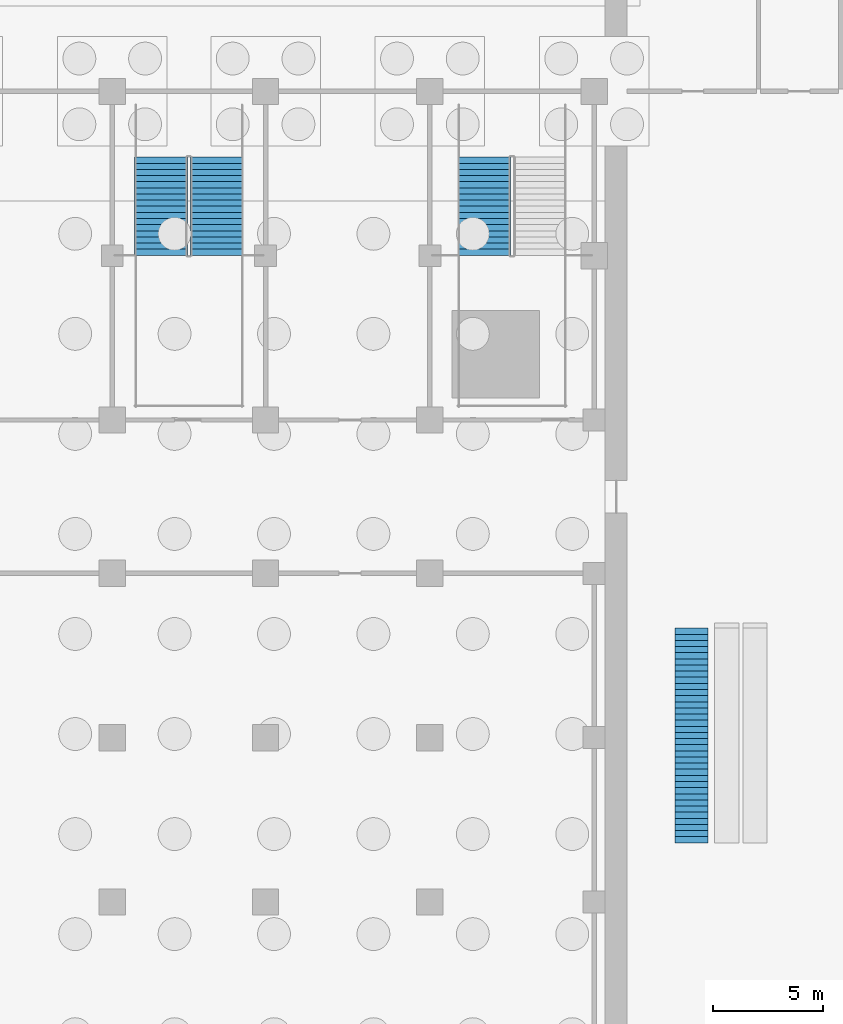
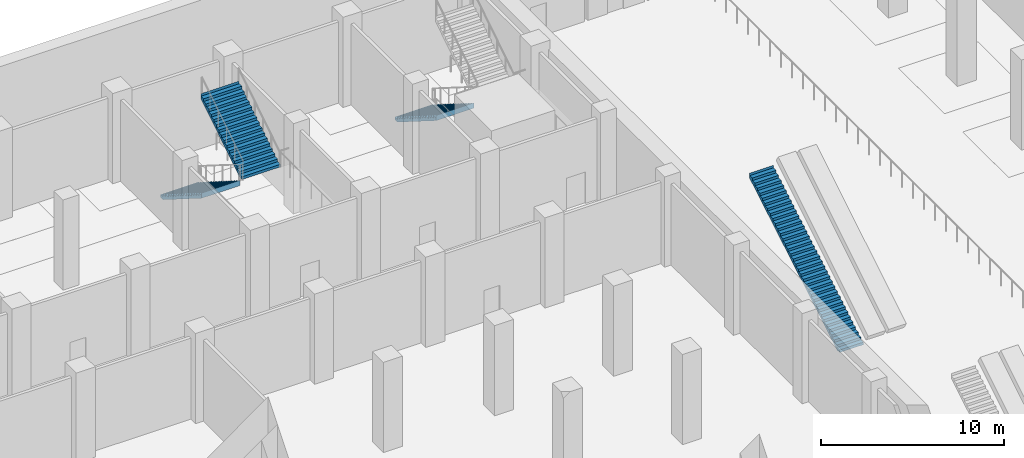
# One storey, part 25 of 39: 4 stair flights, 3 elements without a shape of their own.
"""IFC4 building model written with IfcOpenShell, lengths in metres."""

from ifc_helpers import new_model, si_unit, direction, frame, origin, place, context, subcontext, project, spatial, polyline, outline, extrude, material, type_object, element, aggregate, save


model = new_model("IFC4")

# Units and contexts
model_context = context("Model", 3, precision=1e-05, world=origin(), true_north=direction((0.0, 1.0)))
body_context = subcontext(model_context, "Body", "Model", "MODEL_VIEW")
ifc_project = project(units=[si_unit("LENGTHUNIT", "METRE"), si_unit("AREAUNIT", "SQUARE_METRE"), si_unit("VOLUMEUNIT", "CUBIC_METRE"), si_unit("PLANEANGLEUNIT", "RADIAN"), si_unit("MASSUNIT", "GRAM", prefix="KILO")], contexts=[model_context])

# Site, building, storey
site_placement = place(None, origin())
site = spatial("IfcSite", under=ifc_project, at=site_placement, CompositionType="ELEMENT")
building_placement = place(site_placement, origin())
building = spatial("IfcBuilding", under=site, at=building_placement, Name="Tamorin Gate", CompositionType="ELEMENT")
storey_placement = place(building_placement, frame((0.0, 0.0, -12.0)))
storey = spatial("IfcBuildingStorey", under=building, at=storey_placement, Name="B2", CompositionType="ELEMENT", Elevation=-12.0)

# Stair, stair flights
ifc_material_1 = material(Name="Reinforced concrete C32/40", Category="concrete")
stair_type_1 = type_object("IfcStairType", Name="Basement stair SB", PredefinedType="HALF_TURN_STAIR", material=ifc_material_1)
stair_1_placement = place(storey_placement, origin())
stair_1 = element("IfcStair", 1, at=stair_1_placement, inside=storey, type_object=stair_type_1, Name="B2 Basement stair SB4", PredefinedType="HALF_TURN_STAIR")
stair_flight_type_1 = type_object("IfcStairFlightType", Name="Stair flight 2400", PredefinedType="STRAIGHT", material=ifc_material_1)
stair_flight_1_placement = place(storey_placement, frame((69.72509765625, 109.0, 0.0), z_axis=(0.0, 0.0, 1.0), x_axis=(0.0, -1.0, 0.0)))
stair_flight_1 = element("IfcStairFlight", 2, at=stair_flight_1_placement, type_object=stair_flight_type_1, Name="SB4 flight 1", NumberOfRisers=17, NumberOfTreads=16, PredefinedType="STRAIGHT", RiserHeight=0.176470588, TreadLength=0.28, context=body_context, shape_type="SweptSolid", body=[
    extrude(outline(polyline([(-0.00048828125, 0.0), (-0.00048828125, 0.001708984375), (-0.00048828125, 0.00341796875), (-0.00048828125, 0.005126953125), (-0.00048828125, 0.007080078125), (-0.00048828125, 0.0087890625), (-0.00048828125, 0.010498046875), (-0.00048828125, 0.01220703125), (-0.00048828125, 0.013916015625), (-0.00048828125, 0.015625), (-0.00048828125, 0.017578125), (-0.00048828125, 0.019287109375), (-0.00048828125, 0.02099609375), (-0.00048828125, 0.022705078125), (-0.00048828125, 0.0244140625), (-0.00048828125, 0.026123046875), (-0.00048828125, 0.028076171875), (-0.00048828125, 0.02978515625), (-0.00048828125, 0.031494140625), (-0.00048828125, 0.033203125), (-0.00048828125, 0.034912109375), (-0.00048828125, 0.03662109375), (-0.00048828125, 0.038330078125), (-0.00048828125, 0.040283203125), (-0.00048828125, 0.0419921875), (-0.00048828125, 0.043701171875), (-0.00048828125, 0.04541015625), (-0.00048828125, 0.047119140625), (-0.00048828125, 0.048828125), (-0.00048828125, 0.05078125), (-0.00048828125, 0.052490234375), (-0.00048828125, 0.05419921875), (-0.00048828125, 0.055908203125), (-0.00048828125, 0.0576171875), (-0.00048828125, 0.059326171875), (-0.00048828125, 0.06103515625), (-0.00048828125, 0.06298828125), (-0.00048828125, 0.064697265625), (-0.00048828125, 0.06640625), (-0.00048828125, 0.068115234375), (-0.00048828125, 0.06982421875), (-0.00048828125, 0.071533203125), (-0.00048828125, 0.073486328125), (-0.00048828125, 0.0751953125), (-0.00048828125, 0.076904296875), (-0.00048828125, 0.07861328125), (-0.00048828125, 0.080322265625), (-0.00048828125, 0.08203125), (-0.00048828125, 0.083984375), (-0.00048828125, 0.085693359375), (-0.00048828125, 0.08740234375), (-0.00048828125, 0.089111328125), (-0.00048828125, 0.0908203125), (-0.00048828125, 0.092529296875), (-0.00048828125, 0.09423828125), (-0.00048828125, 0.09619140625), (-0.00048828125, 0.097900390625), (-0.00048828125, 0.099609375), (-0.00048828125, 0.101318359375), (-0.00048828125, 0.10302734375), (-0.00048828125, 0.104736328125), (-0.00048828125, 0.106689453125), (-0.00048828125, 0.1083984375), (-0.00048828125, 0.110107421875), (-0.00048828125, 0.11181640625), (-0.00048828125, 0.113525390625), (-0.00048828125, 0.115234375), (-0.00048828125, 0.116943359375), (-0.00048828125, 0.118896484375), (-0.00048828125, 0.12060546875), (-0.00048828125, 0.122314453125), (-0.00048828125, 0.1240234375), (-0.00048828125, 0.125732421875), (-0.00048828125, 0.12744140625), (-0.00048828125, 0.12939453125), (-0.00048828125, 0.131103515625), (-0.00048828125, 0.1328125), (-0.00048828125, 0.134521484375), (-0.00048828125, 0.13623046875), (-0.00048828125, 0.137939453125), (-0.00048828125, 0.139892578125), (-0.00048828125, 0.1416015625), (-0.00048828125, 0.143310546875), (-0.00048828125, 0.14501953125), (-0.00048828125, 0.146728515625), (-0.00048828125, 0.1484375), (-0.00048828125, 0.150146484375), (-0.00048828125, 0.152099609375), (-0.00048828125, 0.15380859375), (-0.00048828125, 0.155517578125), (-0.00048828125, 0.1572265625), (-0.00048828125, 0.158935546875), (-0.00048828125, 0.16064453125), (-0.00048828125, 0.16259765625), (-0.00048828125, 0.164306640625), (-0.00048828125, 0.166015625), (-0.00048828125, 0.167724609375), (-0.00048828125, 0.16943359375), (-0.00048828125, 0.171142578125), (-0.00048828125, 0.173095703125), (-0.00048828125, 0.1748046875), (-0.00048828125, 0.176513671875), (0.280029296875, 0.176513671875), (0.280029296875, 0.35302734375), (0.56005859375, 0.35302734375), (0.56005859375, 0.529296875), (0.840087890625, 0.529296875), (0.840087890625, 0.705810546875), (1.1201171875, 0.705810546875), (1.1201171875, 0.88232421875), (1.39990234375, 0.88232421875), (1.39990234375, 1.058837890625), (1.679931640625, 1.058837890625), (1.679931640625, 1.2353515625), (1.9599609375, 1.2353515625), (1.9599609375, 1.411865234375), (2.239990234375, 1.411865234375), (2.239990234375, 1.588134765625), (2.52001953125, 1.588134765625), (2.52001953125, 1.7646484375), (2.800048828125, 1.7646484375), (2.800048828125, 1.941162109375), (3.080078125, 1.941162109375), (3.080078125, 2.11767578125), (3.360107421875, 2.11767578125), (3.360107421875, 2.294189453125), (3.639892578125, 2.294189453125), (3.639892578125, 2.470703125), (3.919921875, 2.470703125), (3.919921875, 2.64697265625), (4.199951171875, 2.64697265625), (4.199951171875, 2.823486328125), (4.47998046875, 2.823486328125), (4.47998046875, 3.0), (4.48046875, 3.0), (4.48046875, 2.99658203125), (4.48046875, 2.992919921875), (4.48046875, 2.989501953125), (4.48046875, 2.986083984375), (4.48046875, 2.982421875), (4.48046875, 2.97900390625), (4.48046875, 2.9755859375), (4.48046875, 2.971923828125), (4.48046875, 2.968505859375), (4.48046875, 2.965087890625), (4.48046875, 2.96142578125), (4.48046875, 2.9580078125), (4.48046875, 2.95458984375), (4.48046875, 2.950927734375), (4.48046875, 2.947509765625), (4.48046875, 2.944091796875), (4.48046875, 2.9404296875), (4.48046875, 2.93701171875), (4.48046875, 2.933349609375), (4.48046875, 2.929931640625), (4.48046875, 2.926513671875), (4.48046875, 2.9228515625), (4.48046875, 2.91943359375), (4.48046875, 2.916015625), (4.48046875, 2.912353515625), (4.48046875, 2.908935546875), (4.48046875, 2.905517578125), (4.48046875, 2.90185546875), (4.48046875, 2.8984375), (4.48046875, 2.89501953125), (4.48046875, 2.891357421875), (4.48046875, 2.887939453125), (4.48046875, 2.884521484375), (4.48046875, 2.880859375), (4.48046875, 2.87744140625), (4.48046875, 2.8740234375), (4.48046875, 2.870361328125), (4.48046875, 2.866943359375), (4.48046875, 2.863525390625), (4.48046875, 2.85986328125), (4.48046875, 2.8564453125), (4.48046875, 2.85302734375), (4.48046875, 2.849365234375), (4.48046875, 2.845947265625), (4.48046875, 2.842529296875), (4.48046875, 2.8388671875), (4.48046875, 2.83544921875), (4.48046875, 2.83203125), (4.48046875, 2.828369140625), (4.48046875, 2.824951171875), (4.48046875, 2.821533203125), (4.48046875, 2.81787109375), (4.48046875, 2.814453125), (4.48046875, 2.81103515625), (4.48046875, 2.807373046875), (4.48046875, 2.803955078125), (4.48046875, 2.80029296875), (4.48046875, 2.796875), (4.48046875, 2.79345703125), (4.48046875, 2.789794921875), (4.48046875, 2.786376953125), (4.48046875, 2.782958984375), (4.48046875, 2.779296875), (4.48046875, 2.77587890625), (4.48046875, 2.7724609375), (4.48046875, 2.768798828125), (4.48046875, 2.765380859375), (4.48046875, 2.761962890625), (4.48046875, 2.75830078125), (4.48046875, 2.7548828125), (4.48046875, 2.75146484375), (4.48046875, 2.747802734375), (4.48046875, 2.744384765625), (4.48046875, 2.740966796875), (4.48046875, 2.7373046875), (4.48046875, 2.73388671875), (4.48046875, 2.73046875), (4.48046875, 2.726806640625), (4.48046875, 2.723388671875), (4.48046875, 2.719970703125), (4.48046875, 2.71630859375), (4.48046875, 2.712890625), (4.48046875, 2.70947265625), (4.48046875, 2.705810546875), (4.48046875, 2.702392578125), (4.48046875, 2.698974609375), (4.48046875, 2.6953125), (4.48046875, 2.69189453125), (4.48046875, 2.6884765625), (4.48046875, 2.684814453125), (4.48046875, 2.681396484375), (4.48046875, 2.677734375), (4.48046875, 2.67431640625), (4.48046875, 2.6708984375), (4.48046875, 2.667236328125), (4.48046875, 2.663818359375), (4.48046875, 2.660400390625), (4.48046875, 2.65673828125), (4.48046875, 2.6533203125), (4.48046875, 2.64990234375), (4.48046875, 2.646240234375), (4.47998046875, 2.646240234375), (0.28125, 0.0), (-0.00048828125, 0.0)])), frame((0.0, 1.199951171875, 0.0), z_axis=(0.0, -1.0, 0.0), x_axis=(1.0, 0.0, 0.0)), (0.0, 0.0, 1.0), 2.39990234375),
])
stair_flight_2_placement = place(storey_placement, frame((72.27490234375, 104.52001953125, 3.0), z_axis=(0.0, 0.0, 1.0), x_axis=(0.0, 1.0, 0.0)))
stair_flight_2 = element("IfcStairFlight", 3, at=stair_flight_2_placement, type_object=stair_flight_type_1, Name="SB4 flight 2", NumberOfRisers=17, NumberOfTreads=16, PredefinedType="STRAIGHT", RiserHeight=0.176470588, TreadLength=0.28, context=body_context, shape_type="SweptSolid", body=[
    extrude(outline(polyline([(-0.00048828125, 0.0), (-0.00048828125, 0.001708984375), (-0.00048828125, 0.00341796875), (-0.00048828125, 0.005126953125), (-0.00048828125, 0.007080078125), (-0.00048828125, 0.0087890625), (-0.00048828125, 0.010498046875), (-0.00048828125, 0.01220703125), (-0.00048828125, 0.013916015625), (-0.00048828125, 0.015625), (-0.00048828125, 0.017578125), (-0.00048828125, 0.019287109375), (-0.00048828125, 0.02099609375), (-0.00048828125, 0.022705078125), (-0.00048828125, 0.0244140625), (-0.00048828125, 0.026123046875), (-0.00048828125, 0.028076171875), (-0.00048828125, 0.02978515625), (-0.00048828125, 0.031494140625), (-0.00048828125, 0.033203125), (-0.00048828125, 0.034912109375), (-0.00048828125, 0.03662109375), (-0.00048828125, 0.038330078125), (-0.00048828125, 0.040283203125), (-0.00048828125, 0.0419921875), (-0.00048828125, 0.043701171875), (-0.00048828125, 0.04541015625), (-0.00048828125, 0.047119140625), (-0.00048828125, 0.048828125), (-0.00048828125, 0.05078125), (-0.00048828125, 0.052490234375), (-0.00048828125, 0.05419921875), (-0.00048828125, 0.055908203125), (-0.00048828125, 0.0576171875), (-0.00048828125, 0.059326171875), (-0.00048828125, 0.06103515625), (-0.00048828125, 0.06298828125), (-0.00048828125, 0.064697265625), (-0.00048828125, 0.06640625), (-0.00048828125, 0.068115234375), (-0.00048828125, 0.06982421875), (-0.00048828125, 0.071533203125), (-0.00048828125, 0.073486328125), (-0.00048828125, 0.0751953125), (-0.00048828125, 0.076904296875), (-0.00048828125, 0.07861328125), (-0.00048828125, 0.080322265625), (-0.00048828125, 0.08203125), (-0.00048828125, 0.083984375), (-0.00048828125, 0.085693359375), (-0.00048828125, 0.08740234375), (-0.00048828125, 0.089111328125), (-0.00048828125, 0.0908203125), (-0.00048828125, 0.092529296875), (-0.00048828125, 0.09423828125), (-0.00048828125, 0.09619140625), (-0.00048828125, 0.097900390625), (-0.00048828125, 0.099609375), (-0.00048828125, 0.101318359375), (-0.00048828125, 0.10302734375), (-0.00048828125, 0.104736328125), (-0.00048828125, 0.106689453125), (-0.00048828125, 0.1083984375), (-0.00048828125, 0.110107421875), (-0.00048828125, 0.11181640625), (-0.00048828125, 0.113525390625), (-0.00048828125, 0.115234375), (-0.00048828125, 0.116943359375), (-0.00048828125, 0.118896484375), (-0.00048828125, 0.12060546875), (-0.00048828125, 0.122314453125), (-0.00048828125, 0.1240234375), (-0.00048828125, 0.125732421875), (-0.00048828125, 0.12744140625), (-0.00048828125, 0.12939453125), (-0.00048828125, 0.131103515625), (-0.00048828125, 0.1328125), (-0.00048828125, 0.134521484375), (-0.00048828125, 0.13623046875), (-0.00048828125, 0.137939453125), (-0.00048828125, 0.139892578125), (-0.00048828125, 0.1416015625), (-0.00048828125, 0.143310546875), (-0.00048828125, 0.14501953125), (-0.00048828125, 0.146728515625), (-0.00048828125, 0.1484375), (-0.00048828125, 0.150146484375), (-0.00048828125, 0.152099609375), (-0.00048828125, 0.15380859375), (-0.00048828125, 0.155517578125), (-0.00048828125, 0.1572265625), (-0.00048828125, 0.158935546875), (-0.00048828125, 0.16064453125), (-0.00048828125, 0.16259765625), (-0.00048828125, 0.164306640625), (-0.00048828125, 0.166015625), (-0.00048828125, 0.167724609375), (-0.00048828125, 0.16943359375), (-0.00048828125, 0.171142578125), (-0.00048828125, 0.173095703125), (-0.00048828125, 0.1748046875), (-0.00048828125, 0.176513671875), (0.280029296875, 0.176513671875), (0.280029296875, 0.35302734375), (0.56005859375, 0.35302734375), (0.56005859375, 0.529296875), (0.840087890625, 0.529296875), (0.840087890625, 0.705810546875), (1.1201171875, 0.705810546875), (1.1201171875, 0.88232421875), (1.39990234375, 0.88232421875), (1.39990234375, 1.058837890625), (1.679931640625, 1.058837890625), (1.679931640625, 1.2353515625), (1.9599609375, 1.2353515625), (1.9599609375, 1.411865234375), (2.239990234375, 1.411865234375), (2.239990234375, 1.588134765625), (2.52001953125, 1.588134765625), (2.52001953125, 1.7646484375), (2.800048828125, 1.7646484375), (2.800048828125, 1.941162109375), (3.080078125, 1.941162109375), (3.080078125, 2.11767578125), (3.360107421875, 2.11767578125), (3.360107421875, 2.294189453125), (3.639892578125, 2.294189453125), (3.639892578125, 2.470703125), (3.919921875, 2.470703125), (3.919921875, 2.64697265625), (4.199951171875, 2.64697265625), (4.199951171875, 2.823486328125), (4.47998046875, 2.823486328125), (4.47998046875, 3.0), (4.48046875, 3.0), (4.48046875, 2.99658203125), (4.48046875, 2.992919921875), (4.48046875, 2.989501953125), (4.48046875, 2.986083984375), (4.48046875, 2.982421875), (4.48046875, 2.97900390625), (4.48046875, 2.9755859375), (4.48046875, 2.971923828125), (4.48046875, 2.968505859375), (4.48046875, 2.965087890625), (4.48046875, 2.96142578125), (4.48046875, 2.9580078125), (4.48046875, 2.95458984375), (4.48046875, 2.950927734375), (4.48046875, 2.947509765625), (4.48046875, 2.944091796875), (4.48046875, 2.9404296875), (4.48046875, 2.93701171875), (4.48046875, 2.933349609375), (4.48046875, 2.929931640625), (4.48046875, 2.926513671875), (4.48046875, 2.9228515625), (4.48046875, 2.91943359375), (4.48046875, 2.916015625), (4.48046875, 2.912353515625), (4.48046875, 2.908935546875), (4.48046875, 2.905517578125), (4.48046875, 2.90185546875), (4.48046875, 2.8984375), (4.48046875, 2.89501953125), (4.48046875, 2.891357421875), (4.48046875, 2.887939453125), (4.48046875, 2.884521484375), (4.48046875, 2.880859375), (4.48046875, 2.87744140625), (4.48046875, 2.8740234375), (4.48046875, 2.870361328125), (4.48046875, 2.866943359375), (4.48046875, 2.863525390625), (4.48046875, 2.85986328125), (4.48046875, 2.8564453125), (4.48046875, 2.85302734375), (4.48046875, 2.849365234375), (4.48046875, 2.845947265625), (4.48046875, 2.842529296875), (4.48046875, 2.8388671875), (4.48046875, 2.83544921875), (4.48046875, 2.83203125), (4.48046875, 2.828369140625), (4.48046875, 2.824951171875), (4.48046875, 2.821533203125), (4.48046875, 2.81787109375), (4.48046875, 2.814453125), (4.48046875, 2.81103515625), (4.48046875, 2.807373046875), (4.48046875, 2.803955078125), (4.48046875, 2.80029296875), (4.48046875, 2.796875), (4.48046875, 2.79345703125), (4.48046875, 2.789794921875), (4.48046875, 2.786376953125), (4.48046875, 2.782958984375), (4.48046875, 2.779296875), (4.48046875, 2.77587890625), (4.48046875, 2.7724609375), (4.48046875, 2.768798828125), (4.48046875, 2.765380859375), (4.48046875, 2.761962890625), (4.48046875, 2.75830078125), (4.48046875, 2.7548828125), (4.48046875, 2.75146484375), (4.48046875, 2.747802734375), (4.48046875, 2.744384765625), (4.48046875, 2.740966796875), (4.48046875, 2.7373046875), (4.48046875, 2.73388671875), (4.48046875, 2.73046875), (4.48046875, 2.726806640625), (4.48046875, 2.723388671875), (4.48046875, 2.719970703125), (4.48046875, 2.71630859375), (4.48046875, 2.712890625), (4.48046875, 2.70947265625), (4.48046875, 2.705810546875), (4.48046875, 2.702392578125), (4.48046875, 2.698974609375), (4.48046875, 2.6953125), (4.48046875, 2.69189453125), (4.48046875, 2.6884765625), (4.48046875, 2.684814453125), (4.48046875, 2.681396484375), (4.48046875, 2.677734375), (4.48046875, 2.67431640625), (4.48046875, 2.6708984375), (4.48046875, 2.667236328125), (4.48046875, 2.663818359375), (4.48046875, 2.660400390625), (4.48046875, 2.65673828125), (4.48046875, 2.6533203125), (4.48046875, 2.64990234375), (4.48046875, 2.646240234375), (4.47998046875, 2.646240234375), (0.28125, 0.0), (-0.00048828125, 0.0)])), frame((0.0, 1.199951171875, 0.0), z_axis=(0.0, -1.0, 0.0), x_axis=(1.0, 0.0, 0.0)), (0.0, 0.0, 1.0), 2.39990234375),
])
aggregate(stair_1, [stair_flight_1, stair_flight_2])

# Stair, stair flight
stair_2_placement = place(storey_placement, origin())
stair_2 = element("IfcStair", 4, at=stair_2_placement, inside=storey, type_object=stair_type_1, Name="B2 Basement stair SB5", PredefinedType="HALF_TURN_STAIR")
stair_flight_3_placement = place(storey_placement, frame((84.47509765625, 109.0, 0.0), z_axis=(0.0, 0.0, 1.0), x_axis=(0.0, -1.0, 0.0)))
stair_flight_3 = element("IfcStairFlight", 5, at=stair_flight_3_placement, type_object=stair_flight_type_1, Name="SB5 flight 1", NumberOfRisers=17, NumberOfTreads=16, PredefinedType="STRAIGHT", RiserHeight=0.176470588, TreadLength=0.28, context=body_context, shape_type="SweptSolid", body=[
    extrude(outline(polyline([(-0.00048828125, 0.0), (-0.00048828125, 0.001708984375), (-0.00048828125, 0.00341796875), (-0.00048828125, 0.005126953125), (-0.00048828125, 0.007080078125), (-0.00048828125, 0.0087890625), (-0.00048828125, 0.010498046875), (-0.00048828125, 0.01220703125), (-0.00048828125, 0.013916015625), (-0.00048828125, 0.015625), (-0.00048828125, 0.017578125), (-0.00048828125, 0.019287109375), (-0.00048828125, 0.02099609375), (-0.00048828125, 0.022705078125), (-0.00048828125, 0.0244140625), (-0.00048828125, 0.026123046875), (-0.00048828125, 0.028076171875), (-0.00048828125, 0.02978515625), (-0.00048828125, 0.031494140625), (-0.00048828125, 0.033203125), (-0.00048828125, 0.034912109375), (-0.00048828125, 0.03662109375), (-0.00048828125, 0.038330078125), (-0.00048828125, 0.040283203125), (-0.00048828125, 0.0419921875), (-0.00048828125, 0.043701171875), (-0.00048828125, 0.04541015625), (-0.00048828125, 0.047119140625), (-0.00048828125, 0.048828125), (-0.00048828125, 0.05078125), (-0.00048828125, 0.052490234375), (-0.00048828125, 0.05419921875), (-0.00048828125, 0.055908203125), (-0.00048828125, 0.0576171875), (-0.00048828125, 0.059326171875), (-0.00048828125, 0.06103515625), (-0.00048828125, 0.06298828125), (-0.00048828125, 0.064697265625), (-0.00048828125, 0.06640625), (-0.00048828125, 0.068115234375), (-0.00048828125, 0.06982421875), (-0.00048828125, 0.071533203125), (-0.00048828125, 0.073486328125), (-0.00048828125, 0.0751953125), (-0.00048828125, 0.076904296875), (-0.00048828125, 0.07861328125), (-0.00048828125, 0.080322265625), (-0.00048828125, 0.08203125), (-0.00048828125, 0.083984375), (-0.00048828125, 0.085693359375), (-0.00048828125, 0.08740234375), (-0.00048828125, 0.089111328125), (-0.00048828125, 0.0908203125), (-0.00048828125, 0.092529296875), (-0.00048828125, 0.09423828125), (-0.00048828125, 0.09619140625), (-0.00048828125, 0.097900390625), (-0.00048828125, 0.099609375), (-0.00048828125, 0.101318359375), (-0.00048828125, 0.10302734375), (-0.00048828125, 0.104736328125), (-0.00048828125, 0.106689453125), (-0.00048828125, 0.1083984375), (-0.00048828125, 0.110107421875), (-0.00048828125, 0.11181640625), (-0.00048828125, 0.113525390625), (-0.00048828125, 0.115234375), (-0.00048828125, 0.116943359375), (-0.00048828125, 0.118896484375), (-0.00048828125, 0.12060546875), (-0.00048828125, 0.122314453125), (-0.00048828125, 0.1240234375), (-0.00048828125, 0.125732421875), (-0.00048828125, 0.12744140625), (-0.00048828125, 0.12939453125), (-0.00048828125, 0.131103515625), (-0.00048828125, 0.1328125), (-0.00048828125, 0.134521484375), (-0.00048828125, 0.13623046875), (-0.00048828125, 0.137939453125), (-0.00048828125, 0.139892578125), (-0.00048828125, 0.1416015625), (-0.00048828125, 0.143310546875), (-0.00048828125, 0.14501953125), (-0.00048828125, 0.146728515625), (-0.00048828125, 0.1484375), (-0.00048828125, 0.150146484375), (-0.00048828125, 0.152099609375), (-0.00048828125, 0.15380859375), (-0.00048828125, 0.155517578125), (-0.00048828125, 0.1572265625), (-0.00048828125, 0.158935546875), (-0.00048828125, 0.16064453125), (-0.00048828125, 0.16259765625), (-0.00048828125, 0.164306640625), (-0.00048828125, 0.166015625), (-0.00048828125, 0.167724609375), (-0.00048828125, 0.16943359375), (-0.00048828125, 0.171142578125), (-0.00048828125, 0.173095703125), (-0.00048828125, 0.1748046875), (-0.00048828125, 0.176513671875), (0.280029296875, 0.176513671875), (0.280029296875, 0.35302734375), (0.56005859375, 0.35302734375), (0.56005859375, 0.529296875), (0.840087890625, 0.529296875), (0.840087890625, 0.705810546875), (1.1201171875, 0.705810546875), (1.1201171875, 0.88232421875), (1.39990234375, 0.88232421875), (1.39990234375, 1.058837890625), (1.679931640625, 1.058837890625), (1.679931640625, 1.2353515625), (1.9599609375, 1.2353515625), (1.9599609375, 1.411865234375), (2.239990234375, 1.411865234375), (2.239990234375, 1.588134765625), (2.52001953125, 1.588134765625), (2.52001953125, 1.7646484375), (2.800048828125, 1.7646484375), (2.800048828125, 1.941162109375), (3.080078125, 1.941162109375), (3.080078125, 2.11767578125), (3.360107421875, 2.11767578125), (3.360107421875, 2.294189453125), (3.639892578125, 2.294189453125), (3.639892578125, 2.470703125), (3.919921875, 2.470703125), (3.919921875, 2.64697265625), (4.199951171875, 2.64697265625), (4.199951171875, 2.823486328125), (4.47998046875, 2.823486328125), (4.47998046875, 3.0), (4.48046875, 3.0), (4.48046875, 2.99658203125), (4.48046875, 2.992919921875), (4.48046875, 2.989501953125), (4.48046875, 2.986083984375), (4.48046875, 2.982421875), (4.48046875, 2.97900390625), (4.48046875, 2.9755859375), (4.48046875, 2.971923828125), (4.48046875, 2.968505859375), (4.48046875, 2.965087890625), (4.48046875, 2.96142578125), (4.48046875, 2.9580078125), (4.48046875, 2.95458984375), (4.48046875, 2.950927734375), (4.48046875, 2.947509765625), (4.48046875, 2.944091796875), (4.48046875, 2.9404296875), (4.48046875, 2.93701171875), (4.48046875, 2.933349609375), (4.48046875, 2.929931640625), (4.48046875, 2.926513671875), (4.48046875, 2.9228515625), (4.48046875, 2.91943359375), (4.48046875, 2.916015625), (4.48046875, 2.912353515625), (4.48046875, 2.908935546875), (4.48046875, 2.905517578125), (4.48046875, 2.90185546875), (4.48046875, 2.8984375), (4.48046875, 2.89501953125), (4.48046875, 2.891357421875), (4.48046875, 2.887939453125), (4.48046875, 2.884521484375), (4.48046875, 2.880859375), (4.48046875, 2.87744140625), (4.48046875, 2.8740234375), (4.48046875, 2.870361328125), (4.48046875, 2.866943359375), (4.48046875, 2.863525390625), (4.48046875, 2.85986328125), (4.48046875, 2.8564453125), (4.48046875, 2.85302734375), (4.48046875, 2.849365234375), (4.48046875, 2.845947265625), (4.48046875, 2.842529296875), (4.48046875, 2.8388671875), (4.48046875, 2.83544921875), (4.48046875, 2.83203125), (4.48046875, 2.828369140625), (4.48046875, 2.824951171875), (4.48046875, 2.821533203125), (4.48046875, 2.81787109375), (4.48046875, 2.814453125), (4.48046875, 2.81103515625), (4.48046875, 2.807373046875), (4.48046875, 2.803955078125), (4.48046875, 2.80029296875), (4.48046875, 2.796875), (4.48046875, 2.79345703125), (4.48046875, 2.789794921875), (4.48046875, 2.786376953125), (4.48046875, 2.782958984375), (4.48046875, 2.779296875), (4.48046875, 2.77587890625), (4.48046875, 2.7724609375), (4.48046875, 2.768798828125), (4.48046875, 2.765380859375), (4.48046875, 2.761962890625), (4.48046875, 2.75830078125), (4.48046875, 2.7548828125), (4.48046875, 2.75146484375), (4.48046875, 2.747802734375), (4.48046875, 2.744384765625), (4.48046875, 2.740966796875), (4.48046875, 2.7373046875), (4.48046875, 2.73388671875), (4.48046875, 2.73046875), (4.48046875, 2.726806640625), (4.48046875, 2.723388671875), (4.48046875, 2.719970703125), (4.48046875, 2.71630859375), (4.48046875, 2.712890625), (4.48046875, 2.70947265625), (4.48046875, 2.705810546875), (4.48046875, 2.702392578125), (4.48046875, 2.698974609375), (4.48046875, 2.6953125), (4.48046875, 2.69189453125), (4.48046875, 2.6884765625), (4.48046875, 2.684814453125), (4.48046875, 2.681396484375), (4.48046875, 2.677734375), (4.48046875, 2.67431640625), (4.48046875, 2.6708984375), (4.48046875, 2.667236328125), (4.48046875, 2.663818359375), (4.48046875, 2.660400390625), (4.48046875, 2.65673828125), (4.48046875, 2.6533203125), (4.48046875, 2.64990234375), (4.48046875, 2.646240234375), (4.47998046875, 2.646240234375), (0.28125, 0.0), (-0.00048828125, 0.0)])), frame((0.0, 1.199951171875, 0.0), z_axis=(0.0, -1.0, 0.0), x_axis=(1.0, 0.0, 0.0)), (0.0, 0.0, 1.0), 2.39990234375),
])
aggregate(stair_2, [stair_flight_3])

ifc_material_2 = material(Name="Reinforced concrete C40/50", Category="concrete")
stair_type_2 = type_object("IfcStairType", Name="Station stair 1500", PredefinedType="STRAIGHT_RUN_STAIR", material=ifc_material_2)
stair_3_placement = place(storey_placement, origin())
stair_3 = element("IfcStair", 6, at=stair_3_placement, inside=storey, type_object=stair_type_2, Name="Station stair B3", PredefinedType="STRAIGHT_RUN_STAIR")
stair_flight_type_2 = type_object("IfcStairFlightType", Name="Station stair flight 1500", PredefinedType="STRAIGHT", material=ifc_material_2)
stair_flight_4_placement = place(storey_placement, frame((93.949951171875, 77.699951171875, 0.0), z_axis=(0.0, 0.0, 1.0), x_axis=(0.0, 1.0, 0.0)))
stair_flight_4 = element("IfcStairFlight", 7, at=stair_flight_4_placement, type_object=stair_flight_type_2, Name="SS1 flight 1", NumberOfRisers=36, NumberOfTreads=35, PredefinedType="STRAIGHT", RiserHeight=0.166666667, TreadLength=0.28, context=body_context, shape_type="SweptSolid", body=[
    extrude(outline(polyline([(-0.00048828125, 0.0), (-0.00048828125, 0.166748046875), (0.280029296875, 0.166748046875), (0.280029296875, 0.333251953125), (0.56005859375, 0.333251953125), (0.56005859375, 0.5), (0.840087890625, 0.5), (0.840087890625, 0.666748046875), (1.1201171875, 0.666748046875), (1.1201171875, 0.833251953125), (1.39990234375, 0.833251953125), (1.39990234375, 1.0), (1.679931640625, 1.0), (1.679931640625, 1.166748046875), (1.9599609375, 1.166748046875), (1.9599609375, 1.333251953125), (2.239990234375, 1.333251953125), (2.239990234375, 1.5), (2.52001953125, 1.5), (2.52001953125, 1.666748046875), (2.800048828125, 1.666748046875), (2.800048828125, 1.833251953125), (3.080078125, 1.833251953125), (3.080078125, 2.0), (3.360107421875, 2.0), (3.360107421875, 2.166748046875), (3.639892578125, 2.166748046875), (3.639892578125, 2.333251953125), (3.919921875, 2.333251953125), (3.919921875, 2.5), (4.199951171875, 2.5), (4.199951171875, 2.666748046875), (4.47998046875, 2.666748046875), (4.47998046875, 2.833251953125), (4.760009765625, 2.833251953125), (4.760009765625, 3.0), (5.0400390625, 3.0), (5.0400390625, 3.166748046875), (5.320068359375, 3.166748046875), (5.320068359375, 3.333251953125), (5.60009765625, 3.333251953125), (5.60009765625, 3.5), (5.8798828125, 3.5), (5.8798828125, 3.666748046875), (6.159912109375, 3.666748046875), (6.159912109375, 3.833251953125), (6.43994140625, 3.833251953125), (6.43994140625, 4.0), (6.719970703125, 4.0), (6.719970703125, 4.166748046875), (7.0, 4.166748046875), (7.0, 4.333251953125), (7.280029296875, 4.333251953125), (7.280029296875, 4.5), (7.56005859375, 4.5), (7.56005859375, 4.666748046875), (7.840087890625, 4.666748046875), (7.840087890625, 4.833251953125), (8.1201171875, 4.833251953125), (8.1201171875, 5.0), (8.39990234375, 5.0), (8.39990234375, 5.166748046875), (8.679931640625, 5.166748046875), (8.679931640625, 5.333251953125), (8.9599609375, 5.333251953125), (8.9599609375, 5.5), (9.239990234375, 5.5), (9.239990234375, 5.666748046875), (9.52001953125, 5.666748046875), (9.52001953125, 5.833251953125), (9.800048828125, 5.833251953125), (9.800048828125, 6.0), (9.800537109375, 6.0), (9.800537109375, 5.658935546875), (9.800048828125, 5.658935546875), (0.29296875, 0.0), (-0.00048828125, 0.0)])), frame((0.0, 0.75, 0.0), z_axis=(0.0, -1.0, 0.0), x_axis=(1.0, 0.0, 0.0)), (0.0, 0.0, 1.0), 1.5),
])
aggregate(stair_3, [stair_flight_4])

save(model, "model.ifc")
